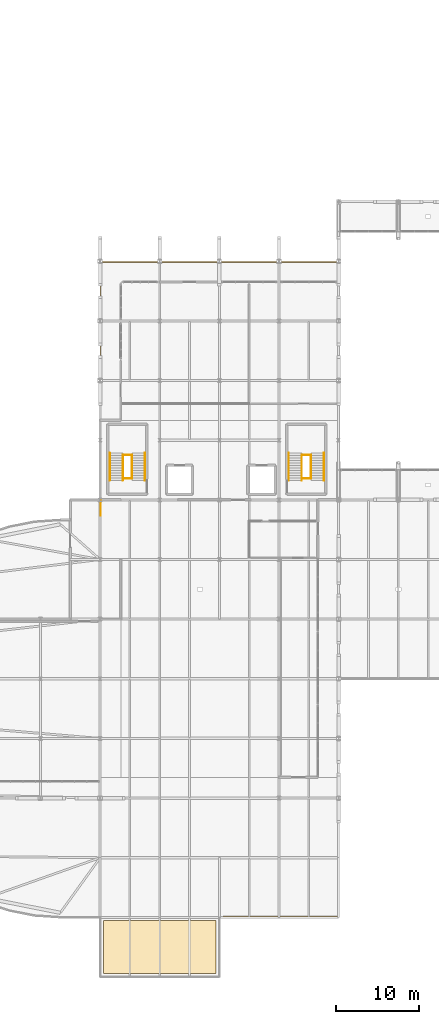
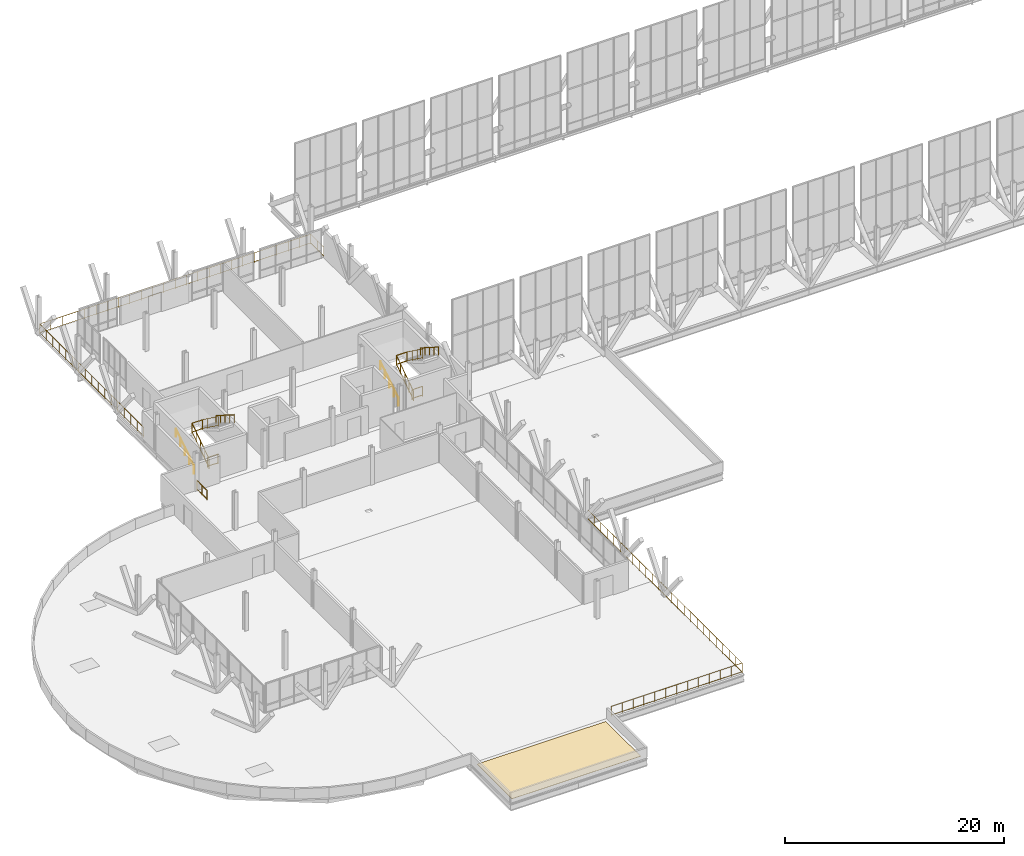
# One storey, part 99 of 102: 15 railings, 1 covering.
"""IFC4 building model written with IfcOpenShell, lengths in metres."""

from ifc_helpers import new_model, si_unit, direction, frame, origin, origin_2d, place, context, subcontext, project, spatial, polyline, circle, outline, extrude, material, layer, layer_set, type_object, element, save


model = new_model("IFC4")

# Units and contexts
model_context = context("Model", 3, precision=1e-05, world=origin(), true_north=direction((0.0, 1.0)))
body_context = subcontext(model_context, "Body", "Model", "MODEL_VIEW")
ifc_project = project(units=[si_unit("LENGTHUNIT", "METRE"), si_unit("AREAUNIT", "SQUARE_METRE"), si_unit("VOLUMEUNIT", "CUBIC_METRE"), si_unit("PLANEANGLEUNIT", "RADIAN"), si_unit("MASSUNIT", "GRAM", prefix="KILO")], contexts=[model_context])

# Site, building, storey
site_placement = place(None, origin())
site = spatial("IfcSite", under=ifc_project, at=site_placement, CompositionType="ELEMENT")
building_placement = place(site_placement, origin())
building = spatial("IfcBuilding", under=site, at=building_placement, Name="Yarey Park Central Fire Station", CompositionType="ELEMENT")
storey_placement = place(building_placement, frame((0.0, 0.0, 6.0)))
storey = spatial("IfcBuildingStorey", under=building, at=storey_placement, Name="L02", CompositionType="ELEMENT", Elevation=6.0)

# Covering
ifc_material_1 = material(Name="High-Albedo TPO Roofing Membrane", Category="membrane")
ifc_layer = layer(ifc_material_1, 0.034912109375)
ifc_layer_set = layer_set([ifc_layer], Name="High-Albedo TPO Roofing Membrane")
covering_type = type_object("IfcCoveringType", Name="ENV_COV_ROOF_1", PredefinedType="ROOFING", material=ifc_layer_set)
covering_placement = place(storey_placement, origin())
element("IfcCovering", 1, at=covering_placement, inside=storey, type_object=covering_type, Name="ROOFING_L02_ARC", PredefinedType="ROOFING", context=body_context, shape_type="SweptSolid", body=[
    extrude(outline(polyline([(29.199951171875, 0.39990234375), (42.800048828125, 0.39990234375), (42.800048828125, 6.800048828125), (29.199951171875, 6.800048828125), (29.199951171875, 0.39990234375)])), origin(), (0.0, 0.0, 1.0), 0.034912109375),
])

# Railings
ifc_material_2 = material(Name="Stainless Steel AISI 316L", Category="steel")
railing_type_1 = type_object("IfcRailingType", Name="EXT_RAIL_GUARD112", PredefinedType="BALUSTRADE", material=ifc_material_2)
railing_1_placement = place(storey_placement, frame((43.679931640625, 7.320068359375, 0.0)))
element("IfcRailing", 2, at=railing_1_placement, inside=storey, type_object=railing_type_1, Name="GRD_EXT_L02_POD_SE", PredefinedType="BALUSTRADE", context=body_context, shape_type="SweptSolid", body=[
    extrude(circle(Radius=0.02392578125, at=origin_2d()), frame((0.0, 0.0, 1.09619140625), z_axis=(1.0, 0.0, 0.0), x_axis=(0.0, 1.0, 0.0)), (0.0, 0.0, 1.0), 13.820068359375),
    extrude(circle(Radius=0.02392578125, at=origin_2d()), frame((0.0, 0.0, 0.1201171875), z_axis=(1.0, 0.0, 0.0), x_axis=(0.0, 1.0, 0.0)), (0.0, 0.0, 1.0), 13.820068359375),
    extrude(circle(Radius=0.02392578125, at=origin_2d()), frame((13.820068359375, 0.0, 1.09619140625), z_axis=(0.0, 1.0, 0.0), x_axis=(-1.0, 0.0, 0.0)), (0.0, 0.0, 1.0), 28.199951171875),
    extrude(circle(Radius=0.02392578125, at=origin_2d()), frame((13.820068359375, 0.0, 0.1201171875), z_axis=(0.0, 1.0, 0.0), x_axis=(-1.0, 0.0, 0.0)), (0.0, 0.0, 1.0), 28.199951171875),
    extrude(circle(Radius=0.02099609375, at=origin_2d()), origin(), (0.0, 0.0, 1.0), 1.072021484375),
    extrude(circle(Radius=0.02099609375, at=origin_2d()), frame((1.151611328125, 0.0, 0.0)), (0.0, 0.0, 1.0), 1.072021484375),
    extrude(circle(Radius=0.02099609375, at=origin_2d()), frame((2.30322265625, 0.0, 0.0)), (0.0, 0.0, 1.0), 1.072021484375),
    extrude(circle(Radius=0.02099609375, at=origin_2d()), frame((3.455078125, 0.0, 0.0)), (0.0, 0.0, 1.0), 1.072021484375),
    extrude(circle(Radius=0.02099609375, at=origin_2d()), frame((4.606689453125, 0.0, 0.0)), (0.0, 0.0, 1.0), 1.072021484375),
    extrude(circle(Radius=0.02099609375, at=origin_2d()), frame((5.75830078125, 0.0, 0.0)), (0.0, 0.0, 1.0), 1.072021484375),
    extrude(circle(Radius=0.02099609375, at=origin_2d()), frame((6.91015625, 0.0, 0.0)), (0.0, 0.0, 1.0), 1.072021484375),
    extrude(circle(Radius=0.02099609375, at=origin_2d()), frame((8.061767578125, 0.0, 0.0)), (0.0, 0.0, 1.0), 1.072021484375),
    extrude(circle(Radius=0.02099609375, at=origin_2d()), frame((9.21337890625, 0.0, 0.0)), (0.0, 0.0, 1.0), 1.072021484375),
    extrude(circle(Radius=0.02099609375, at=origin_2d()), frame((10.364990234375, 0.0, 0.0)), (0.0, 0.0, 1.0), 1.072021484375),
    extrude(circle(Radius=0.02099609375, at=origin_2d()), frame((11.5166015625, 0.0, 0.0)), (0.0, 0.0, 1.0), 1.072021484375),
    extrude(circle(Radius=0.02099609375, at=origin_2d()), frame((12.66845703125, 0.0, 0.0)), (0.0, 0.0, 1.0), 1.072021484375),
    extrude(circle(Radius=0.02099609375, at=origin_2d()), frame((13.820068359375, 0.0, 0.0)), (0.0, 0.0, 1.0), 1.072021484375),
    extrude(circle(Radius=0.02099609375, at=origin_2d()), frame((13.820068359375, 1.175048828125, 0.0)), (0.0, 0.0, 1.0), 1.072021484375),
    extrude(circle(Radius=0.02099609375, at=origin_2d()), frame((13.820068359375, 2.35009765625, 0.0)), (0.0, 0.0, 1.0), 1.072021484375),
    extrude(circle(Radius=0.02099609375, at=origin_2d()), frame((13.820068359375, 3.52490234375, 0.0)), (0.0, 0.0, 1.0), 1.072021484375),
    extrude(circle(Radius=0.02099609375, at=origin_2d()), frame((13.820068359375, 4.699951171875, 0.0)), (0.0, 0.0, 1.0), 1.072021484375),
    extrude(circle(Radius=0.02099609375, at=origin_2d()), frame((13.820068359375, 5.875, 0.0)), (0.0, 0.0, 1.0), 1.072021484375),
    extrude(circle(Radius=0.02099609375, at=origin_2d()), frame((13.820068359375, 7.050048828125, 0.0)), (0.0, 0.0, 1.0), 1.072021484375),
    extrude(circle(Radius=0.02099609375, at=origin_2d()), frame((13.820068359375, 8.22509765625, 0.0)), (0.0, 0.0, 1.0), 1.072021484375),
    extrude(circle(Radius=0.02099609375, at=origin_2d()), frame((13.820068359375, 9.39990234375, 0.0)), (0.0, 0.0, 1.0), 1.072021484375),
    extrude(circle(Radius=0.02099609375, at=origin_2d()), frame((13.820068359375, 10.574951171875, 0.0)), (0.0, 0.0, 1.0), 1.072021484375),
    extrude(circle(Radius=0.02099609375, at=origin_2d()), frame((13.820068359375, 11.75, 0.0)), (0.0, 0.0, 1.0), 1.072021484375),
    extrude(circle(Radius=0.02099609375, at=origin_2d()), frame((13.820068359375, 12.925048828125, 0.0)), (0.0, 0.0, 1.0), 1.072021484375),
    extrude(circle(Radius=0.02099609375, at=origin_2d()), frame((13.820068359375, 14.10009765625, 0.0)), (0.0, 0.0, 1.0), 1.072021484375),
    extrude(circle(Radius=0.02099609375, at=origin_2d()), frame((13.820068359375, 15.27490234375, 0.0)), (0.0, 0.0, 1.0), 1.072021484375),
    extrude(circle(Radius=0.02099609375, at=origin_2d()), frame((13.820068359375, 16.449951171875, 0.0)), (0.0, 0.0, 1.0), 1.072021484375),
    extrude(circle(Radius=0.02099609375, at=origin_2d()), frame((13.820068359375, 17.625, 0.0)), (0.0, 0.0, 1.0), 1.072021484375),
    extrude(circle(Radius=0.02099609375, at=origin_2d()), frame((13.820068359375, 18.800048828125, 0.0)), (0.0, 0.0, 1.0), 1.072021484375),
    extrude(circle(Radius=0.02099609375, at=origin_2d()), frame((13.820068359375, 19.974853515625, 0.0)), (0.0, 0.0, 1.0), 1.072021484375),
    extrude(circle(Radius=0.02099609375, at=origin_2d()), frame((13.820068359375, 21.14990234375, 0.0)), (0.0, 0.0, 1.0), 1.072021484375),
    extrude(circle(Radius=0.02099609375, at=origin_2d()), frame((13.820068359375, 22.324951171875, 0.0)), (0.0, 0.0, 1.0), 1.072021484375),
    extrude(circle(Radius=0.02099609375, at=origin_2d()), frame((13.820068359375, 23.5, 0.0)), (0.0, 0.0, 1.0), 1.072021484375),
    extrude(circle(Radius=0.02099609375, at=origin_2d()), frame((13.820068359375, 24.675048828125, 0.0)), (0.0, 0.0, 1.0), 1.072021484375),
    extrude(circle(Radius=0.02099609375, at=origin_2d()), frame((13.820068359375, 25.849853515625, 0.0)), (0.0, 0.0, 1.0), 1.072021484375),
    extrude(circle(Radius=0.02099609375, at=origin_2d()), frame((13.820068359375, 27.02490234375, 0.0)), (0.0, 0.0, 1.0), 1.072021484375),
    extrude(circle(Radius=0.02099609375, at=origin_2d()), frame((13.820068359375, 28.199951171875, 0.0)), (0.0, 0.0, 1.0), 1.072021484375),
])
railing_2_placement = place(storey_placement, frame((28.8798828125, 55.679931640625, 0.0)))
element("IfcRailing", 3, at=railing_2_placement, inside=storey, type_object=railing_type_1, Name="GRD_EXT_L02_POD_NW", PredefinedType="BALUSTRADE", context=body_context, shape_type="SweptSolid", body=[
    extrude(circle(Radius=0.02392578125, at=origin_2d()), frame((0.0, 0.0, 1.09619140625), z_axis=(0.0, 1.0, 0.0), x_axis=(-1.0, 0.0, 0.0)), (0.0, 0.0, 1.0), 1.8701171875),
    extrude(circle(Radius=0.02392578125, at=origin_2d()), frame((0.0, 0.0, 0.1201171875), z_axis=(0.0, 1.0, 0.0), x_axis=(-1.0, 0.0, 0.0)), (0.0, 0.0, 1.0), 1.8701171875),
    extrude(circle(Radius=0.02099609375, at=origin_2d()), origin(), (0.0, 0.0, 1.0), 1.072021484375),
    extrude(circle(Radius=0.02099609375, at=origin_2d()), frame((0.0, 0.93505859375, 0.0)), (0.0, 0.0, 1.0), 1.072021484375),
    extrude(circle(Radius=0.02099609375, at=origin_2d()), frame((0.0, 1.8701171875, 0.0)), (0.0, 0.0, 1.0), 1.072021484375),
])
railing_3_placement = place(storey_placement, frame((28.8798828125, 67.25, 0.0)))
element("IfcRailing", 4, at=railing_3_placement, inside=storey, type_object=railing_type_1, Name="GRD_EXT_L02_VER_WN", PredefinedType="BALUSTRADE", context=body_context, shape_type="SweptSolid", body=[
    extrude(circle(Radius=0.02392578125, at=origin_2d()), frame((0.0, 0.0, 1.09619140625), z_axis=(0.0, 1.0, 0.0), x_axis=(-1.0, 0.0, 0.0)), (0.0, 0.0, 1.0), 19.070068359375),
    extrude(circle(Radius=0.02392578125, at=origin_2d()), frame((0.0, 0.0, 0.1201171875), z_axis=(0.0, 1.0, 0.0), x_axis=(-1.0, 0.0, 0.0)), (0.0, 0.0, 1.0), 19.070068359375),
    extrude(circle(Radius=0.02392578125, at=origin_2d()), frame((0.0, 19.070068359375, 1.09619140625), z_axis=(1.0, 0.0, 0.0), x_axis=(0.0, 1.0, 0.0)), (0.0, 0.0, 1.0), 28.64013671875),
    extrude(circle(Radius=0.02392578125, at=origin_2d()), frame((0.0, 19.070068359375, 0.1201171875), z_axis=(1.0, 0.0, 0.0), x_axis=(0.0, 1.0, 0.0)), (0.0, 0.0, 1.0), 28.64013671875),
    extrude(circle(Radius=0.02392578125, at=origin_2d()), frame((28.64013671875, 19.070068359375, 1.09619140625), z_axis=(0.0, -1.0, 0.0), x_axis=(1.0, 0.0, 0.0)), (0.0, 0.0, 1.0), 2.3701171875),
    extrude(circle(Radius=0.02392578125, at=origin_2d()), frame((28.64013671875, 19.070068359375, 0.1201171875), z_axis=(0.0, -1.0, 0.0), x_axis=(1.0, 0.0, 0.0)), (0.0, 0.0, 1.0), 2.3701171875),
    extrude(circle(Radius=0.02099609375, at=origin_2d()), origin(), (0.0, 0.0, 1.0), 1.072021484375),
    extrude(circle(Radius=0.02099609375, at=origin_2d()), frame((0.0, 1.19189453125, 0.0)), (0.0, 0.0, 1.0), 1.072021484375),
    extrude(circle(Radius=0.02099609375, at=origin_2d()), frame((0.0, 2.3837890625, 0.0)), (0.0, 0.0, 1.0), 1.072021484375),
    extrude(circle(Radius=0.02099609375, at=origin_2d()), frame((0.0, 3.57568359375, 0.0)), (0.0, 0.0, 1.0), 1.072021484375),
    extrude(circle(Radius=0.02099609375, at=origin_2d()), frame((0.0, 4.767578125, 0.0)), (0.0, 0.0, 1.0), 1.072021484375),
    extrude(circle(Radius=0.02099609375, at=origin_2d()), frame((0.0, 5.95947265625, 0.0)), (0.0, 0.0, 1.0), 1.072021484375),
    extrude(circle(Radius=0.02099609375, at=origin_2d()), frame((0.0, 7.1513671875, 0.0)), (0.0, 0.0, 1.0), 1.072021484375),
    extrude(circle(Radius=0.02099609375, at=origin_2d()), frame((0.0, 8.34326171875, 0.0)), (0.0, 0.0, 1.0), 1.072021484375),
    extrude(circle(Radius=0.02099609375, at=origin_2d()), frame((0.0, 9.53515625, 0.0)), (0.0, 0.0, 1.0), 1.072021484375),
    extrude(circle(Radius=0.02099609375, at=origin_2d()), frame((0.0, 10.726806640625, 0.0)), (0.0, 0.0, 1.0), 1.072021484375),
    extrude(circle(Radius=0.02099609375, at=origin_2d()), frame((0.0, 11.918701171875, 0.0)), (0.0, 0.0, 1.0), 1.072021484375),
    extrude(circle(Radius=0.02099609375, at=origin_2d()), frame((0.0, 13.110595703125, 0.0)), (0.0, 0.0, 1.0), 1.072021484375),
    extrude(circle(Radius=0.02099609375, at=origin_2d()), frame((0.0, 14.302490234375, 0.0)), (0.0, 0.0, 1.0), 1.072021484375),
    extrude(circle(Radius=0.02099609375, at=origin_2d()), frame((0.0, 15.494384765625, 0.0)), (0.0, 0.0, 1.0), 1.072021484375),
    extrude(circle(Radius=0.02099609375, at=origin_2d()), frame((0.0, 16.686279296875, 0.0)), (0.0, 0.0, 1.0), 1.072021484375),
    extrude(circle(Radius=0.02099609375, at=origin_2d()), frame((0.0, 17.878173828125, 0.0)), (0.0, 0.0, 1.0), 1.072021484375),
    extrude(circle(Radius=0.02099609375, at=origin_2d()), frame((0.0, 19.070068359375, 0.0)), (0.0, 0.0, 1.0), 1.072021484375),
    extrude(circle(Radius=0.02099609375, at=origin_2d()), frame((1.193359375, 19.070068359375, 0.0)), (0.0, 0.0, 1.0), 1.072021484375),
    extrude(circle(Radius=0.02099609375, at=origin_2d()), frame((2.38671875, 19.070068359375, 0.0)), (0.0, 0.0, 1.0), 1.072021484375),
    extrude(circle(Radius=0.02099609375, at=origin_2d()), frame((3.580078125, 19.070068359375, 0.0)), (0.0, 0.0, 1.0), 1.072021484375),
    extrude(circle(Radius=0.02099609375, at=origin_2d()), frame((4.7734375, 19.070068359375, 0.0)), (0.0, 0.0, 1.0), 1.072021484375),
    extrude(circle(Radius=0.02099609375, at=origin_2d()), frame((5.966796875, 19.070068359375, 0.0)), (0.0, 0.0, 1.0), 1.072021484375),
    extrude(circle(Radius=0.02099609375, at=origin_2d()), frame((7.16015625, 19.070068359375, 0.0)), (0.0, 0.0, 1.0), 1.072021484375),
    extrude(circle(Radius=0.02099609375, at=origin_2d()), frame((8.353271484375, 19.070068359375, 0.0)), (0.0, 0.0, 1.0), 1.072021484375),
    extrude(circle(Radius=0.02099609375, at=origin_2d()), frame((9.546630859375, 19.070068359375, 0.0)), (0.0, 0.0, 1.0), 1.072021484375),
    extrude(circle(Radius=0.02099609375, at=origin_2d()), frame((10.739990234375, 19.070068359375, 0.0)), (0.0, 0.0, 1.0), 1.072021484375),
    extrude(circle(Radius=0.02099609375, at=origin_2d()), frame((11.933349609375, 19.070068359375, 0.0)), (0.0, 0.0, 1.0), 1.072021484375),
    extrude(circle(Radius=0.02099609375, at=origin_2d()), frame((13.126708984375, 19.070068359375, 0.0)), (0.0, 0.0, 1.0), 1.072021484375),
    extrude(circle(Radius=0.02099609375, at=origin_2d()), frame((14.320068359375, 19.070068359375, 0.0)), (0.0, 0.0, 1.0), 1.072021484375),
    extrude(circle(Radius=0.02099609375, at=origin_2d()), frame((15.513427734375, 19.070068359375, 0.0)), (0.0, 0.0, 1.0), 1.072021484375),
    extrude(circle(Radius=0.02099609375, at=origin_2d()), frame((16.706787109375, 19.070068359375, 0.0)), (0.0, 0.0, 1.0), 1.072021484375),
    extrude(circle(Radius=0.02099609375, at=origin_2d()), frame((17.900146484375, 19.070068359375, 0.0)), (0.0, 0.0, 1.0), 1.072021484375),
    extrude(circle(Radius=0.02099609375, at=origin_2d()), frame((19.093505859375, 19.070068359375, 0.0)), (0.0, 0.0, 1.0), 1.072021484375),
    extrude(circle(Radius=0.02099609375, at=origin_2d()), frame((20.286865234375, 19.070068359375, 0.0)), (0.0, 0.0, 1.0), 1.072021484375),
    extrude(circle(Radius=0.02099609375, at=origin_2d()), frame((21.47998046875, 19.070068359375, 0.0)), (0.0, 0.0, 1.0), 1.072021484375),
    extrude(circle(Radius=0.02099609375, at=origin_2d()), frame((22.67333984375, 19.070068359375, 0.0)), (0.0, 0.0, 1.0), 1.072021484375),
    extrude(circle(Radius=0.02099609375, at=origin_2d()), frame((23.86669921875, 19.070068359375, 0.0)), (0.0, 0.0, 1.0), 1.072021484375),
    extrude(circle(Radius=0.02099609375, at=origin_2d()), frame((25.06005859375, 19.070068359375, 0.0)), (0.0, 0.0, 1.0), 1.072021484375),
    extrude(circle(Radius=0.02099609375, at=origin_2d()), frame((26.25341796875, 19.070068359375, 0.0)), (0.0, 0.0, 1.0), 1.072021484375),
    extrude(circle(Radius=0.02099609375, at=origin_2d()), frame((27.44677734375, 19.070068359375, 0.0)), (0.0, 0.0, 1.0), 1.072021484375),
    extrude(circle(Radius=0.02099609375, at=origin_2d()), frame((28.64013671875, 19.070068359375, 0.0)), (0.0, 0.0, 1.0), 1.072021484375),
    extrude(circle(Radius=0.02099609375, at=origin_2d()), frame((28.64013671875, 17.885009765625, 0.0)), (0.0, 0.0, 1.0), 1.072021484375),
    extrude(circle(Radius=0.02099609375, at=origin_2d()), frame((28.64013671875, 16.699951171875, 0.0)), (0.0, 0.0, 1.0), 1.072021484375),
])
ifc_material_3 = material(Name="Galvanized Steel Balustrade", Category="steel")
railing_type_2 = type_object("IfcRailingType", Name="INT_RAIL_GUARD112", PredefinedType="BALUSTRADE", material=ifc_material_3)
railing_4_placement = place(storey_placement, frame((31.550048828125, 59.949951171875, 0.0)))
element("IfcRailing", 5, at=railing_4_placement, inside=storey, type_object=railing_type_2, Name="GRD_C3_L02_F1", PredefinedType="BALUSTRADE", context=body_context, shape_type="SweptSolid", body=[
    extrude(circle(Radius=0.02392578125, at=origin_2d()), frame((0.0, 0.0, 1.09619140625), z_axis=(0.0, 0.827914784024, 0.560853911811), x_axis=(-1.0, 0.0, 0.0)), (0.0, 0.0, 1.0), 3.744384765625),
    extrude(circle(Radius=0.02392578125, at=origin_2d()), frame((0.0, 0.0, 0.1201171875), z_axis=(0.0, 0.827914784024, 0.560853911811), x_axis=(-1.0, 0.0, 0.0)), (0.0, 0.0, 1.0), 3.744384765625),
    extrude(circle(Radius=0.02099609375, at=origin_2d()), origin(), (0.0, 0.0, 1.0), 1.072021484375),
    extrude(circle(Radius=0.02099609375, at=origin_2d()), frame((0.0, 0.77490234375, 0.52490234375)), (0.0, 0.0, 1.0), 1.072021484375),
    extrude(circle(Radius=0.02099609375, at=origin_2d()), frame((0.0, 1.550048828125, 1.050048828125)), (0.0, 0.0, 1.0), 1.072021484375),
    extrude(circle(Radius=0.02099609375, at=origin_2d()), frame((0.0, 2.3251953125, 1.5751953125)), (0.0, 0.0, 1.0), 1.072021484375),
    extrude(circle(Radius=0.02099609375, at=origin_2d()), frame((0.0, 3.10009765625, 2.10009765625)), (0.0, 0.0, 1.0), 1.072021484375),
])
railing_5_placement = place(storey_placement, frame((32.64990234375, 63.050048828125, 2.10009765625)))
element("IfcRailing", 6, at=railing_5_placement, inside=storey, type_object=railing_type_2, Name="GRD_C3_L02_F2", PredefinedType="BALUSTRADE", context=body_context, shape_type="SweptSolid", body=[
    extrude(circle(Radius=0.02392578125, at=origin_2d()), frame((0.0, 0.0, 1.09619140625), z_axis=(0.0, -0.809975627919, 0.586463538659), x_axis=(1.0, 0.0, 0.0)), (0.0, 0.0, 1.0), 3.58056640625),
    extrude(circle(Radius=0.02392578125, at=origin_2d()), frame((0.0, 0.0, 0.1201171875), z_axis=(0.0, -0.809975627919, 0.586463538659), x_axis=(1.0, 0.0, 0.0)), (0.0, 0.0, 1.0), 3.58056640625),
    extrude(circle(Radius=0.02099609375, at=origin_2d()), origin(), (0.0, 0.0, 1.0), 1.072021484375),
    extrude(circle(Radius=0.02099609375, at=origin_2d()), frame((0.0, -0.966796875, 0.699951171875)), (0.0, 0.0, 1.0), 1.072021484375),
    extrude(circle(Radius=0.02099609375, at=origin_2d()), frame((0.0, -1.933349609375, 1.39990234375)), (0.0, 0.0, 1.0), 1.072021484375),
    extrude(circle(Radius=0.02099609375, at=origin_2d()), frame((0.0, -2.900146484375, 2.099853515625)), (0.0, 0.0, 1.0), 1.072021484375),
])
for number, where, name in (
    (7, (31.550048828125, 63.030029296875, 2.10009765625), "GRD_C3_L02_SLOT_MID"),
    (8, (31.550048828125, 60.179931640625, 0.0), "GRD_C3_L02_SLOT_BOT"),
):
    element("IfcRailing", number, at=place(storey_placement, frame(where)), inside=storey, type_object=railing_type_2, Name=name, PredefinedType="BALUSTRADE", context=body_context, shape_type="SweptSolid", body=[
        extrude(circle(Radius=0.02392578125, at=origin_2d()), frame((0.0, 0.0, 1.09619140625), z_axis=(1.0, 0.0, 0.0), x_axis=(0.0, 1.0, 0.0)), (0.0, 0.0, 1.0), 1.099853515625),
        extrude(circle(Radius=0.02392578125, at=origin_2d()), frame((0.0, 0.0, 0.1201171875), z_axis=(1.0, 0.0, 0.0), x_axis=(0.0, 1.0, 0.0)), (0.0, 0.0, 1.0), 1.099853515625),
        extrude(circle(Radius=0.02099609375, at=origin_2d()), origin(), (0.0, 0.0, 1.0), 1.072021484375),
        extrude(circle(Radius=0.02099609375, at=origin_2d()), frame((1.099853515625, 0.0, 0.0)), (0.0, 0.0, 1.0), 1.072021484375),
    ])
railing_6_placement = place(storey_placement, frame((53.14990234375, 59.949951171875, 0.0)))
element("IfcRailing", 9, at=railing_6_placement, inside=storey, type_object=railing_type_2, Name="GRD_C4_L02_F1", PredefinedType="BALUSTRADE", context=body_context, shape_type="SweptSolid", body=[
    extrude(circle(Radius=0.02392578125, at=origin_2d()), frame((0.0, 0.0, 1.09619140625), z_axis=(0.0, 0.827914784024, 0.560853911811), x_axis=(-1.0, 0.0, 0.0)), (0.0, 0.0, 1.0), 3.744384765625),
    extrude(circle(Radius=0.02392578125, at=origin_2d()), frame((0.0, 0.0, 0.1201171875), z_axis=(0.0, 0.827914784024, 0.560853911811), x_axis=(-1.0, 0.0, 0.0)), (0.0, 0.0, 1.0), 3.744384765625),
    extrude(circle(Radius=0.02099609375, at=origin_2d()), origin(), (0.0, 0.0, 1.0), 1.072021484375),
    extrude(circle(Radius=0.02099609375, at=origin_2d()), frame((0.0, 0.77490234375, 0.52490234375)), (0.0, 0.0, 1.0), 1.072021484375),
    extrude(circle(Radius=0.02099609375, at=origin_2d()), frame((0.0, 1.550048828125, 1.050048828125)), (0.0, 0.0, 1.0), 1.072021484375),
    extrude(circle(Radius=0.02099609375, at=origin_2d()), frame((0.0, 2.3251953125, 1.5751953125)), (0.0, 0.0, 1.0), 1.072021484375),
    extrude(circle(Radius=0.02099609375, at=origin_2d()), frame((0.0, 3.10009765625, 2.10009765625)), (0.0, 0.0, 1.0), 1.072021484375),
])
railing_7_placement = place(storey_placement, frame((54.25, 63.050048828125, 2.10009765625)))
element("IfcRailing", 10, at=railing_7_placement, inside=storey, type_object=railing_type_2, Name="GRD_C4_L02_F2", PredefinedType="BALUSTRADE", context=body_context, shape_type="SweptSolid", body=[
    extrude(circle(Radius=0.02392578125, at=origin_2d()), frame((0.0, 0.0, 1.09619140625), z_axis=(0.0, -0.809975627919, 0.586463538659), x_axis=(1.0, 0.0, 0.0)), (0.0, 0.0, 1.0), 3.58056640625),
    extrude(circle(Radius=0.02392578125, at=origin_2d()), frame((0.0, 0.0, 0.1201171875), z_axis=(0.0, -0.809975627919, 0.586463538659), x_axis=(1.0, 0.0, 0.0)), (0.0, 0.0, 1.0), 3.58056640625),
    extrude(circle(Radius=0.02099609375, at=origin_2d()), origin(), (0.0, 0.0, 1.0), 1.072021484375),
    extrude(circle(Radius=0.02099609375, at=origin_2d()), frame((0.0, -0.966796875, 0.699951171875)), (0.0, 0.0, 1.0), 1.072021484375),
    extrude(circle(Radius=0.02099609375, at=origin_2d()), frame((0.0, -1.933349609375, 1.39990234375)), (0.0, 0.0, 1.0), 1.072021484375),
    extrude(circle(Radius=0.02099609375, at=origin_2d()), frame((0.0, -2.900146484375, 2.099853515625)), (0.0, 0.0, 1.0), 1.072021484375),
])
for number, where, name in (
    (11, (53.14990234375, 63.030029296875, 2.10009765625), "GRD_C4_L02_SLOT_MID"),
    (12, (53.14990234375, 60.179931640625, 0.0), "GRD_C4_L02_SLOT_BOT"),
):
    element("IfcRailing", number, at=place(storey_placement, frame(where)), inside=storey, type_object=railing_type_2, Name=name, PredefinedType="BALUSTRADE", context=body_context, shape_type="SweptSolid", body=[
        extrude(circle(Radius=0.02392578125, at=origin_2d()), frame((0.0, 0.0, 1.09619140625), z_axis=(1.0, 0.0, 0.0), x_axis=(0.0, 1.0, 0.0)), (0.0, 0.0, 1.0), 1.10009765625),
        extrude(circle(Radius=0.02392578125, at=origin_2d()), frame((0.0, 0.0, 0.1201171875), z_axis=(1.0, 0.0, 0.0), x_axis=(0.0, 1.0, 0.0)), (0.0, 0.0, 1.0), 1.10009765625),
        extrude(circle(Radius=0.02099609375, at=origin_2d()), origin(), (0.0, 0.0, 1.0), 1.072021484375),
        extrude(circle(Radius=0.02099609375, at=origin_2d()), frame((1.10009765625, 0.0, 0.0)), (0.0, 0.0, 1.0), 1.072021484375),
    ])
railing_type_3 = type_object("IfcRailingType", Name="INT_RAIL_HAND090", PredefinedType="HANDRAIL", material=ifc_material_2)
railing_8_placement = place(storey_placement, frame((29.97998046875, 59.949951171875, 0.0)))
element("IfcRailing", 13, at=railing_8_placement, inside=storey, type_object=railing_type_3, Name="HR_C3_L02_F1", PredefinedType="HANDRAIL", context=body_context, shape_type="SweptSolid", body=[
    extrude(circle(Radius=0.02392578125, at=origin_2d()), frame((0.0, 0.0, 0.8759765625), z_axis=(0.0, 0.843653777646, 0.53688760785), x_axis=(-1.0, 0.0, 0.0)), (0.0, 0.0, 1.0), 3.91162109375),
    extrude(circle(Radius=0.02099609375, at=origin_2d()), origin(), (0.0, 0.0, 1.0), 0.851806640625),
    extrude(circle(Radius=0.02099609375, at=origin_2d()), frame((0.0, 0.824951171875, 0.52490234375)), (0.0, 0.0, 1.0), 0.851806640625),
    extrude(circle(Radius=0.02099609375, at=origin_2d()), frame((0.0, 1.64990234375, 1.050048828125)), (0.0, 0.0, 1.0), 0.851806640625),
    extrude(circle(Radius=0.02099609375, at=origin_2d()), frame((0.0, 2.47509765625, 1.5751953125)), (0.0, 0.0, 1.0), 0.851806640625),
    extrude(circle(Radius=0.02099609375, at=origin_2d()), frame((0.0, 3.300048828125, 2.10009765625)), (0.0, 0.0, 1.0), 0.851806640625),
])
railing_9_placement = place(storey_placement, frame((34.219970703125, 63.25, 2.10009765625)))
element("IfcRailing", 14, at=railing_9_placement, inside=storey, type_object=railing_type_3, Name="HR_C3_L02_F2", PredefinedType="HANDRAIL", context=body_context, shape_type="SweptSolid", body=[
    extrude(circle(Radius=0.02392578125, at=origin_2d()), frame((0.0, 0.0, 0.8759765625), z_axis=(0.0, -0.843682047799, 0.53684318215), x_axis=(1.0, 0.0, 0.0)), (0.0, 0.0, 1.0), 3.911376953125),
    extrude(circle(Radius=0.02099609375, at=origin_2d()), origin(), (0.0, 0.0, 1.0), 0.851806640625),
    extrude(circle(Radius=0.02099609375, at=origin_2d()), frame((0.0, -0.824951171875, 0.52490234375)), (0.0, 0.0, 1.0), 0.851806640625),
    extrude(circle(Radius=0.02099609375, at=origin_2d()), frame((0.0, -1.64990234375, 1.0498046875)), (0.0, 0.0, 1.0), 0.851806640625),
    extrude(circle(Radius=0.02099609375, at=origin_2d()), frame((0.0, -2.47509765625, 1.574951171875)), (0.0, 0.0, 1.0), 0.851806640625),
    extrude(circle(Radius=0.02099609375, at=origin_2d()), frame((0.0, -3.300048828125, 2.099853515625)), (0.0, 0.0, 1.0), 0.851806640625),
])
railing_10_placement = place(storey_placement, frame((51.580078125, 59.949951171875, 0.0)))
element("IfcRailing", 15, at=railing_10_placement, inside=storey, type_object=railing_type_3, Name="HR_C4_L02_F1", PredefinedType="HANDRAIL", context=body_context, shape_type="SweptSolid", body=[
    extrude(circle(Radius=0.02392578125, at=origin_2d()), frame((0.0, 0.0, 0.8759765625), z_axis=(0.0, 0.843653777646, 0.53688760785), x_axis=(-1.0, 0.0, 0.0)), (0.0, 0.0, 1.0), 3.91162109375),
    extrude(circle(Radius=0.02099609375, at=origin_2d()), origin(), (0.0, 0.0, 1.0), 0.851806640625),
    extrude(circle(Radius=0.02099609375, at=origin_2d()), frame((0.0, 0.824951171875, 0.52490234375)), (0.0, 0.0, 1.0), 0.851806640625),
    extrude(circle(Radius=0.02099609375, at=origin_2d()), frame((0.0, 1.64990234375, 1.050048828125)), (0.0, 0.0, 1.0), 0.851806640625),
    extrude(circle(Radius=0.02099609375, at=origin_2d()), frame((0.0, 2.47509765625, 1.5751953125)), (0.0, 0.0, 1.0), 0.851806640625),
    extrude(circle(Radius=0.02099609375, at=origin_2d()), frame((0.0, 3.300048828125, 2.10009765625)), (0.0, 0.0, 1.0), 0.851806640625),
])
railing_11_placement = place(storey_placement, frame((55.820068359375, 63.25, 2.10009765625)))
element("IfcRailing", 16, at=railing_11_placement, inside=storey, type_object=railing_type_3, Name="HR_C4_L02_F2", PredefinedType="HANDRAIL", context=body_context, shape_type="SweptSolid", body=[
    extrude(circle(Radius=0.02392578125, at=origin_2d()), frame((0.0, 0.0, 0.8759765625), z_axis=(0.0, -0.843682047799, 0.53684318215), x_axis=(1.0, 0.0, 0.0)), (0.0, 0.0, 1.0), 3.911376953125),
    extrude(circle(Radius=0.02099609375, at=origin_2d()), origin(), (0.0, 0.0, 1.0), 0.851806640625),
    extrude(circle(Radius=0.02099609375, at=origin_2d()), frame((0.0, -0.824951171875, 0.52490234375)), (0.0, 0.0, 1.0), 0.851806640625),
    extrude(circle(Radius=0.02099609375, at=origin_2d()), frame((0.0, -1.64990234375, 1.0498046875)), (0.0, 0.0, 1.0), 0.851806640625),
    extrude(circle(Radius=0.02099609375, at=origin_2d()), frame((0.0, -2.47509765625, 1.574951171875)), (0.0, 0.0, 1.0), 0.851806640625),
    extrude(circle(Radius=0.02099609375, at=origin_2d()), frame((0.0, -3.300048828125, 2.099853515625)), (0.0, 0.0, 1.0), 0.851806640625),
])

save(model, "model.ifc")
